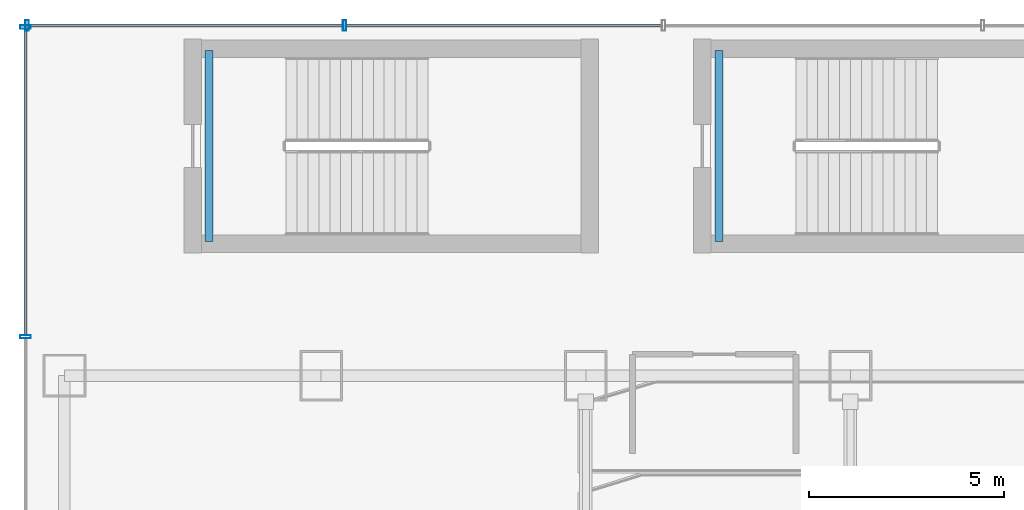
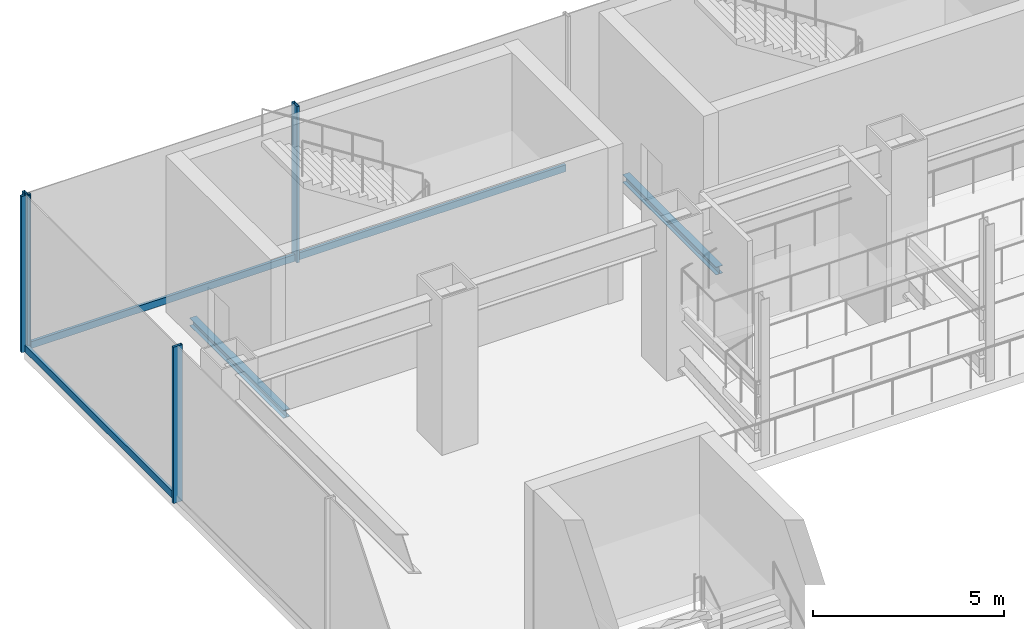
# One storey, part 14 of 39: 7 members, 2 beams, 2 elements without a shape of their own.
"""IFC4 building model written with IfcOpenShell, lengths in metres."""

from ifc_helpers import new_model, si_unit, derived_unit, direction, frame, origin, origin_2d, place, context, subcontext, project, spatial, hollow_rectangle, i_section, extrude, source, transform, mapped, material, material_profile, profile_set, type_object, element, aggregate, save


model = new_model("IFC4")

# Units and contexts
model_context = context("Model", 3, precision=1e-05, world=origin(), true_north=direction((0.0, 1.0)))
body_context = subcontext(model_context, "Body", "Model", "MODEL_VIEW")
ifc_project = project(units=[si_unit("LENGTHUNIT", "METRE"), si_unit("AREAUNIT", "SQUARE_METRE"), si_unit("VOLUMEUNIT", "CUBIC_METRE"), si_unit("PLANEANGLEUNIT", "RADIAN"), si_unit("MASSUNIT", "GRAM", prefix="KILO"), derived_unit("THERMALTRANSMITTANCEUNIT", [(si_unit("POWERUNIT", "WATT"), 1), (si_unit("LENGTHUNIT", "METRE"), -2), (si_unit("THERMODYNAMICTEMPERATUREUNIT", "KELVIN"), -1)])], contexts=[model_context])

# Site, building, storey
site_placement = place(None, origin())
site = spatial("IfcSite", under=ifc_project, at=site_placement, CompositionType="ELEMENT")
building_placement = place(site_placement, origin())
building = spatial("IfcBuilding", under=site, at=building_placement, Name="Skarnbrae Concourse Arena and Tower", CompositionType="ELEMENT")
storey_placement = place(building_placement, frame((0.0, 0.0, 11.0)))
storey = spatial("IfcBuildingStorey", under=building, at=storey_placement, Name="L02", CompositionType="ELEMENT", Elevation=11.0)

# Curtain wall, members
ifc_material_1 = material(Name="Bronze anodised aluminium 6063-T6", Category="aluminium")
curtain_wall_type = type_object("IfcCurtainWallType", Name="CW-SYS-01-PODIUM", PredefinedType="USERDEFINED", material=ifc_material_1)
curtain_wall_1_placement = place(storey_placement, origin())
curtain_wall_1 = element("IfcCurtainWall", 1, at=curtain_wall_1_placement, inside=storey, type_object=curtain_wall_type, Name="L02 Unitised curtain wall CW-L02-N", ObjectType="UNITISED CURTAIN WALL", PredefinedType="USERDEFINED")
ifc_material_profile_1 = material_profile(ifc_material_1, hollow_rectangle(XDim=0.0849609375, YDim=0.280029296875, WallThickness=0.006103515625, at=origin_2d()), Name="ALU-MULL-85X280")
ifc_profile_set_1 = profile_set([ifc_material_profile_1], Name="Bronze anodised aluminium 6063-T6")
member_type_1 = type_object("IfcMemberType", Name="CWM-CW-01", PredefinedType="MULLION", material=ifc_profile_set_1)
shared_shape_1 = source(origin(), body_context, "Body", "SweptSolid", [
    extrude(hollow_rectangle(XDim=0.0849609375, YDim=0.280029296875, WallThickness=0.006103515625, at=origin_2d()), origin(), (0.0, 0.0, 1.0), 5.0),
])
member_1_placement = place(storey_placement, frame((8.199951171875, 56.0, 0.0), z_axis=(0.0, 0.0, 1.0), x_axis=(-1.0, 0.0, 0.0)))
member_1 = element("IfcMember", 2, at=member_1_placement, type_object=member_type_1, Name="CW-L02-N Mullion 10", PredefinedType="MULLION", context=body_context, shape_type="MappedRepresentation", body=[
    mapped(shared_shape_1, transform((0.0, 0.0, 0.0))),
])
member_2_placement = place(storey_placement, frame((0.04248046875, 56.0, 0.0), z_axis=(0.0, 0.0, 1.0), x_axis=(-1.0, 0.0, 0.0)))
member_2 = element("IfcMember", 3, at=member_2_placement, type_object=member_type_1, Name="CW-L02-N Mullion 11", PredefinedType="MULLION", context=body_context, shape_type="MappedRepresentation", body=[
    mapped(shared_shape_1, transform((0.0, 0.0, 0.0))),
])

curtain_wall_2_placement = place(storey_placement, origin())
curtain_wall_2 = element("IfcCurtainWall", 4, at=curtain_wall_2_placement, inside=storey, type_object=curtain_wall_type, Name="L02 Unitised curtain wall CW-L02-W", ObjectType="UNITISED CURTAIN WALL", PredefinedType="USERDEFINED")
member_3_placement = place(storey_placement, frame((0.0, 55.95751953125, 0.0), z_axis=(0.0, 0.0, 1.0), x_axis=(0.0, -1.0, 0.0)))
member_3 = element("IfcMember", 5, at=member_3_placement, type_object=member_type_1, Name="CW-L02-W Mullion 1", PredefinedType="MULLION", context=body_context, shape_type="MappedRepresentation", body=[
    mapped(shared_shape_1, transform((0.0, 0.0, 0.0))),
])
member_4_placement = place(storey_placement, frame((0.0, 48.0, 0.0), z_axis=(0.0, 0.0, 1.0), x_axis=(0.0, -1.0, 0.0)))
member_4 = element("IfcMember", 6, at=member_4_placement, type_object=member_type_1, Name="CW-L02-W Mullion 2", PredefinedType="MULLION", context=body_context, shape_type="MappedRepresentation", body=[
    mapped(shared_shape_1, transform((0.0, 0.0, 0.0))),
])
ifc_material_profile_2 = material_profile(ifc_material_1, hollow_rectangle(XDim=0.0849609375, YDim=0.219970703125, WallThickness=0.006103515625, at=origin_2d()), Name="ALU-TRAN-85X220")
ifc_profile_set_2 = profile_set([ifc_material_profile_2], Name="Bronze anodised aluminium 6063-T6")
member_type_2 = type_object("IfcMemberType", Name="CWT-CW-01", PredefinedType="USERDEFINED", material=ifc_profile_set_2)
shared_shape_2 = source(origin(), body_context, "Body", "SweptSolid", [
    extrude(hollow_rectangle(XDim=0.0849609375, YDim=0.219970703125, WallThickness=0.006103515625, at=origin_2d()), origin(), (0.0, 0.0, 1.0), 7.87255859375),
])
member_5_placement = place(storey_placement, frame((0.0, 55.9150390625, 0.110107421875), z_axis=(0.0, -1.0, 0.0), x_axis=(1.0, 0.0, 0.0)))
member_5 = element("IfcMember", 7, at=member_5_placement, type_object=member_type_2, Name="CW-L02-W Transom 1", ObjectType="TRANSOM", PredefinedType="USERDEFINED", context=body_context, shape_type="MappedRepresentation", body=[
    mapped(shared_shape_2, transform((0.0, 0.0, 0.0))),
])
aggregate(curtain_wall_2, [member_3, member_4, member_5])

# Member
shared_shape_3 = source(origin(), body_context, "Body", "SweptSolid", [
    extrude(hollow_rectangle(XDim=0.0849609375, YDim=0.219970703125, WallThickness=0.006103515625, at=origin_2d()), origin(), (0.0, 0.0, 1.0), 8.072509765625),
])
member_6_placement = place(storey_placement, frame((8.157470703125, 56.0, 0.110107421875), z_axis=(-1.0, 0.0, 0.0), x_axis=(0.0, -1.0, 0.0)))
member_6 = element("IfcMember", 8, at=member_6_placement, type_object=member_type_2, Name="CW-L02-N Transom 10", ObjectType="TRANSOM", PredefinedType="USERDEFINED", context=body_context, shape_type="MappedRepresentation", body=[
    mapped(shared_shape_3, transform((0.0, 0.0, 0.0))),
])

shared_shape_4 = source(origin(), body_context, "Body", "SweptSolid", [
    extrude(hollow_rectangle(XDim=0.0849609375, YDim=0.219970703125, WallThickness=0.006103515625, at=origin_2d()), origin(), (0.0, 0.0, 1.0), 8.114990234375),
])
member_7_placement = place(storey_placement, frame((16.357421875, 56.0, 0.110107421875), z_axis=(-1.0, 0.0, 0.0), x_axis=(0.0, -1.0, 0.0)))
member_7 = element("IfcMember", 9, at=member_7_placement, type_object=member_type_2, Name="CW-L02-N Transom 9", ObjectType="TRANSOM", PredefinedType="USERDEFINED", context=body_context, shape_type="MappedRepresentation", body=[
    mapped(shared_shape_4, transform((0.0, 0.0, 0.0))),
])

aggregate(curtain_wall_1, [member_1, member_2, member_7, member_6])

# Beams
ifc_material_2 = material(Name="Steel CSA G40.21 350W", Category="steel")
ifc_material_profile_3 = material_profile(ifc_material_2, i_section(OverallWidth=0.202880859375, OverallDepth=0.251953125, WebThickness=0.008056640625, FlangeThickness=0.013427734375, at=origin_2d()), Name="W250X58")
ifc_profile_set_3 = profile_set([ifc_material_profile_3], Name="Steel CSA G40.21 350W")
beam_type = type_object("IfcBeamType", Name="BM-LINTEL-W250X58", PredefinedType="LINTEL", material=ifc_profile_set_3)
shared_shape_5 = source(origin(), body_context, "Body", "SweptSolid", [
    extrude(i_section(OverallWidth=0.202880859375, OverallDepth=0.251953125, WebThickness=0.008056640625, FlangeThickness=0.013427734375, at=origin_2d()), origin(), (0.0, 0.0, 1.0), 4.900146484375),
])
for number, where, z_axis, x_axis, name in (
    (10, (4.719970703125, 50.449951171875, -0.325927734375), (0.0, 1.0, 0.0), (-1.0, 0.0, 0.0), "L02 Stair ST-A5 near landing soffit beam"),
    (11, (17.820068359375, 50.449951171875, -0.325927734375), (0.0, 1.0, 0.0), (-1.0, 0.0, 0.0), "L02 Stair ST-A6 near landing soffit beam"),
):
    element("IfcBeam", number, at=place(storey_placement, frame(where, z_axis=z_axis, x_axis=x_axis)), inside=storey, type_object=beam_type, Name=name, PredefinedType="LINTEL", context=body_context, shape_type="MappedRepresentation", body=[
        mapped(shared_shape_5, transform((0.0, 0.0, 0.0))),
    ])

save(model, "model.ifc")
